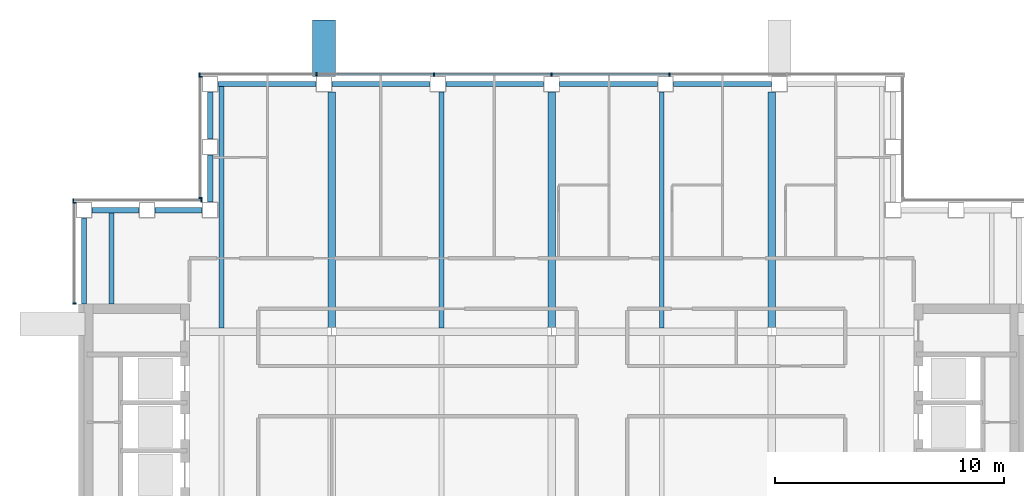
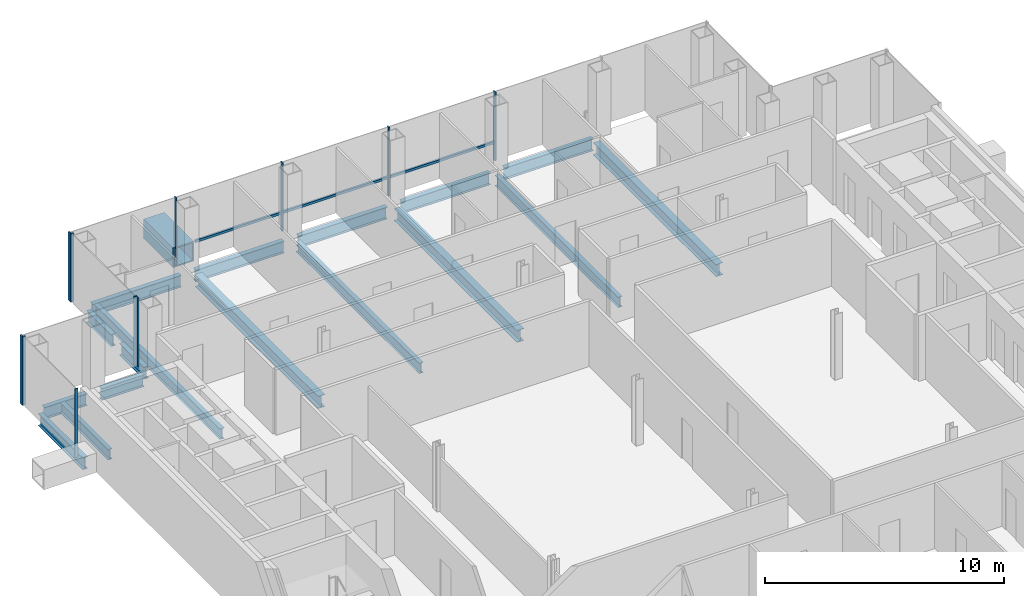
# One storey, part 6 of 14: 18 beams, 14 members, 4 elements without a shape of their own.
"""IFC4 building model written with IfcOpenShell, lengths in metres."""

import ifcopenshell
import ifcopenshell.guid

model = None  # the IFC model being written
_history = None  # IfcOwnerHistory: only IFC2X3 demands one
_inside = {}  # id of a spatial element -> (the spatial element, [elements in it])
_under = {}  # id of a project, library or spatial element -> (it, [spatial elements below it])
_declared = {}  # id of a project -> (the project, [libraries it declares])
_typed = {}  # id of a type object -> (the type object, [elements of that type])
_made_of = {}  # id of a material, layer set ... -> (it, [elements and type objects made of it])


def new_model(schema):
    """Start an empty IFC model of exactly this schema.

    Asked for "IFC4X3", IfcOpenShell would pick the latest addendum, in which some entities
    have other attributes; the version numbers below select the first issue.
    IFC2X3 requires an IfcOwnerHistory on every rooted entity: one is made here for all.
    """
    global model, _history
    if schema == "IFC4X3":
        model = ifcopenshell.file(schema_version=(4, 3, 0, 0))
    else:
        model = ifcopenshell.file(schema=schema)
    _inside.clear()
    _under.clear()
    _declared.clear()
    _typed.clear()
    _made_of.clear()
    _history = None
    if model.schema == "IFC2X3":
        org = make("IfcOrganization", Name="unknown")
        user = make(
            "IfcPersonAndOrganization",
            ThePerson=make("IfcPerson", FamilyName="unknown"),
            TheOrganization=org,
        )
        app = make(
            "IfcApplication",
            ApplicationDeveloper=org,
            Version="unknown",
            ApplicationFullName="unknown",
            ApplicationIdentifier="unknown",
        )
        _history = make(
            "IfcOwnerHistory",
            OwningUser=user,
            OwningApplication=app,
            ChangeAction="ADDED",
            CreationDate=0,
        )
    return model


def make(cls, **values):
    """One entity of the class cls with the attributes given. An attribute that is None is left unset."""
    return model.create_entity(
        cls, **{name: value for name, value in values.items() if value is not None}
    )


def rooted(cls, **values):
    """An entity with a GlobalId (a new one), such as an element, a storey or a relation."""
    return make(cls, GlobalId=ifcopenshell.guid.new(), OwnerHistory=_history, **values)


def si_unit(unit_type, name, prefix=None):
    """IfcSIUnit, for example si_unit("LENGTHUNIT", "METRE", prefix="MILLI")."""
    return make("IfcSIUnit", UnitType=unit_type, Prefix=prefix, Name=name)


def assignment(units):
    """IfcUnitAssignment: the units of a project."""
    return None if units is None else make("IfcUnitAssignment", Units=units)


def point(xyz):
    """IfcCartesianPoint."""
    return None if xyz is None else make("IfcCartesianPoint", Coordinates=xyz)


def direction(xyz):
    """IfcDirection."""
    return None if xyz is None else make("IfcDirection", DirectionRatios=xyz)


def frame(location, z_axis=None, x_axis=None):
    """IfcAxis2Placement3D, a coordinate frame: its origin and axes. An axis left out is left unset."""
    return make(
        "IfcAxis2Placement3D",
        Location=point(location),
        Axis=direction(z_axis),
        RefDirection=direction(x_axis),
    )


def frame_2d(location, x_axis=None):
    """IfcAxis2Placement2D, a coordinate frame in the plane: its origin and x axis."""
    return make(
        "IfcAxis2Placement2D", Location=point(location), RefDirection=direction(x_axis)
    )


def origin():
    """The frame at (0, 0, 0) with its axes left unset."""
    return frame((0.0, 0.0, 0.0))


def origin_2d():
    """The frame at (0, 0) in the plane with its x axis left unset."""
    return frame_2d((0.0, 0.0))


def place(relative_to, where):
    """IfcLocalPlacement: puts the frame where relative to a parent placement (None: the world)."""
    return make(
        "IfcLocalPlacement", PlacementRelTo=relative_to, RelativePlacement=where
    )


def context(
    kind, dimensions, precision=None, world=None, true_north=None, identifier=None
):
    """IfcGeometricRepresentationContext, for example the 3D "Model" context."""
    return make(
        "IfcGeometricRepresentationContext",
        ContextIdentifier=identifier,
        ContextType=kind,
        CoordinateSpaceDimension=dimensions,
        Precision=precision,
        WorldCoordinateSystem=world,
        TrueNorth=true_north,
    )


def subcontext(parent, identifier, kind, view, scale=None):
    """IfcGeometricRepresentationSubContext, for example "Body" below "Model"."""
    return make(
        "IfcGeometricRepresentationSubContext",
        ContextIdentifier=identifier,
        ContextType=kind,
        ParentContext=parent,
        TargetScale=scale,
        TargetView=view,
    )


def project(units=None, contexts=None):
    """IfcProject with its units and contexts."""
    return rooted(
        "IfcProject",
        Name="project",
        RepresentationContexts=contexts,
        UnitsInContext=assignment(units),
    )


def spatial(cls, under=None, at=None, **own):
    """A site, building, storey or space (cls), placed at a placement, below another one or the project."""
    s = rooted(cls, ObjectPlacement=at, **own)
    if under is not None:
        _under.setdefault(under.id(), (under, []))[1].append(s)
    return s


def profile(cls, at=None, kind="AREA", **sizes):
    """A parametric profile (cls). Its sizes go by their IFC names, for example OverallWidth=200.0."""
    return make(cls, ProfileType=kind, Position=at, **sizes)


def rectangle(**sizes):
    """IfcRectangleProfileDef."""
    return profile("IfcRectangleProfileDef", **sizes)


def hollow_rectangle(**sizes):
    """IfcRectangleHollowProfileDef."""
    return profile("IfcRectangleHollowProfileDef", **sizes)


def i_section(**sizes):
    """IfcIShapeProfileDef."""
    return profile("IfcIShapeProfileDef", **sizes)


def extrude(swept, where, along, depth):
    """IfcExtrudedAreaSolid: the profile swept, set in the frame where, extruded along a direction by depth."""
    return make(
        "IfcExtrudedAreaSolid",
        SweptArea=swept,
        Position=where,
        ExtrudedDirection=direction(along),
        Depth=depth,
    )


def shape(context_of_items, identifier, shape_type, items):
    """IfcShapeRepresentation: the items that make up one representation, for example the "Body"."""
    return make(
        "IfcShapeRepresentation",
        ContextOfItems=context_of_items,
        RepresentationIdentifier=identifier,
        RepresentationType=shape_type,
        Items=items,
    )


def material(Name=None, Category=None):
    """IfcMaterial."""
    return make("IfcMaterial", Name=Name, Category=Category)


def material_profile(
    of_material, cross_section, Name=None, Category=None, Priority=None
):
    """IfcMaterialProfile: a cross section and its material."""
    return make(
        "IfcMaterialProfile",
        Name=Name,
        Material=of_material,
        Profile=cross_section,
        Priority=Priority,
        Category=Category,
    )


def profile_set(profiles, Name=None, composite=None):
    """IfcMaterialProfileSet."""
    return make(
        "IfcMaterialProfileSet",
        Name=Name,
        MaterialProfiles=profiles,
        CompositeProfile=composite,
    )


def made_of(thing, what):
    """Note that an element or type object is made of a material, layer set ...; save() writes the relation."""
    if what is not None:
        _made_of.setdefault(what.id(), (what, []))[1].append(thing)
    return thing


def type_object(cls, material=None, **own):
    """A type object (cls), such as IfcWallType, which elements share."""
    return made_of(rooted(cls, **own), material)


def element(
    cls,
    number,
    at=None,
    inside=None,
    cuts=None,
    type_object=None,
    material=None,
    context=None,
    identifier="Body",
    shape_type=None,
    held_by="IfcProductDefinitionShape",
    body=None,
    shapes=None,
    **own,
):
    """One element of the class cls, such as IfcWall. Its Tag is "e" and its number.

    at: its placement. inside: the storey or other place that contains it. cuts: it is an
    opening in that element (IfcRelVoidsElement). A single representation is given by context,
    identifier, shape_type and body (its items); several are given by shapes. held_by: the class
    of the entity that holds the representations. save() writes the other relations.
    """
    e = rooted(cls, Tag="e%d" % number, ObjectPlacement=at, **own)
    if body is not None:
        shapes = [shape(context, identifier, shape_type, body)]
    if shapes is not None:
        e.Representation = make(held_by, Representations=shapes)
    if inside is not None:
        _inside.setdefault(inside.id(), (inside, []))[1].append(e)
    if cuts is not None:
        rooted(
            "IfcRelVoidsElement", RelatingBuildingElement=cuts, RelatedOpeningElement=e
        )
    if type_object is not None:
        _typed.setdefault(type_object.id(), (type_object, []))[1].append(e)
    return made_of(e, material)


def aggregate(whole, parts):
    """IfcRelAggregates: a whole, such as a stair, and the parts it consists of."""
    return rooted("IfcRelAggregates", RelatingObject=whole, RelatedObjects=parts)


def save(model, path):
    """Write the relations noted so far, then the file.

    IfcRelAggregates (storeys below a building ...), IfcRelContainedInSpatialStructure (elements
    in a storey), IfcRelDefinesByType, IfcRelAssociatesMaterial and IfcRelDeclares: one each for
    every whole, place, type object, material and project.
    """
    for whole, parts in _under.values():
        aggregate(whole, parts)
    for where, things in _inside.values():
        rooted(
            "IfcRelContainedInSpatialStructure",
            RelatedElements=things,
            RelatingStructure=where,
        )
    for kind, things in _typed.values():
        rooted("IfcRelDefinesByType", RelatedObjects=things, RelatingType=kind)
    for what, things in _made_of.values():
        rooted("IfcRelAssociatesMaterial", RelatedObjects=things, RelatingMaterial=what)
    for by, libraries in _declared.values():
        rooted("IfcRelDeclares", RelatingContext=by, RelatedDefinitions=libraries)
    model.write(path)


model = new_model("IFC4")

# Units and contexts
model_context = context("Model", 3, precision=1e-05, world=origin(), true_north=direction((0.0, 1.0)))
body_context = subcontext(model_context, "Body", "Model", "MODEL_VIEW")
ifc_project = project(units=[si_unit("LENGTHUNIT", "METRE"), si_unit("AREAUNIT", "SQUARE_METRE"), si_unit("VOLUMEUNIT", "CUBIC_METRE"), si_unit("PLANEANGLEUNIT", "RADIAN"), si_unit("MASSUNIT", "GRAM", prefix="KILO")], contexts=[model_context])

# Site, building, storey
site_placement = place(None, origin())
site = spatial("IfcSite", under=ifc_project, at=site_placement, CompositionType="ELEMENT")
building_placement = place(site_placement, origin())
building = spatial("IfcBuilding", under=site, at=building_placement, Name="Cobrizo Arcos Hotel Tower", CompositionType="ELEMENT")
storey_placement = place(building_placement, frame((0.0, 0.0, 208.5)))
storey = spatial("IfcBuildingStorey", under=building, at=storey_placement, Name="L54", CompositionType="ELEMENT", Elevation=208.5)

# Beam
ifc_material_1 = material(Name="Steel ASTM A572 Grade 50", Category="steel")
ifc_material_profile_1 = material_profile(ifc_material_1, hollow_rectangle(XDim=1.0, YDim=1.0, WallThickness=0.06005859375, at=origin_2d()), Name="BOX 1000X1000X60")
ifc_profile_set_1 = profile_set([ifc_material_profile_1], Name="Steel ASTM A572 Grade 50")
beam_type_1 = type_object("IfcBeamType", Name="BOX 1000X1000X60 brace connector strut", PredefinedType="BEAM", material=ifc_profile_set_1)
beam_1_placement = place(storey_placement, frame((-9.933349609375, 20.739990234375, 0.5), z_axis=(0.0, 1.0, 0.0), x_axis=(-1.0, 0.0, 0.0)))
element("IfcBeam", 1, at=beam_1_placement, inside=storey, type_object=beam_type_1, Name="Perimeter brace stub BS1, zone Z4, north face, offset -9.93 m, L54", PredefinedType="BEAM", context=body_context, shape_type="SweptSolid", body=[
    extrude(hollow_rectangle(XDim=1.0, YDim=1.0, WallThickness=0.06005859375, at=origin_2d()), origin(), (0.0, 0.0, 1.0), 2.455078125),
])

# Curtain wall, members
ifc_material_2 = material(Name="Aluminium 6063-T6 anodised bronze", Category="aluminium")
curtain_wall_type = type_object("IfcCurtainWallType", Name="CW-A guest facade", PredefinedType="NOTDEFINED", material=ifc_material_2)
curtain_wall_1_placement = place(storey_placement, origin())
curtain_wall_1 = element("IfcCurtainWall", 2, at=curtain_wall_1_placement, inside=storey, type_object=curtain_wall_type, Name="CW-A L54 N face", PredefinedType="NOTDEFINED")
ifc_material_profile_2 = material_profile(ifc_material_2, rectangle(XDim=0.14990234375, YDim=0.06005859375, at=origin_2d()), Name="CW-A mullion 150x60")
ifc_profile_set_2 = profile_set([ifc_material_profile_2], Name="Aluminium 6063-T6 anodised bronze")
member_type_1 = type_object("IfcMemberType", Name="CW-A mullion 150x60", PredefinedType="MULLION", material=ifc_profile_set_2)
member_1_placement = place(storey_placement, frame((5.13330078125, 20.824951171875, 0.0), z_axis=(0.0, 0.0, 1.0), x_axis=(0.0, 1.0, 0.0)))
member_1 = element("IfcMember", 3, at=member_1_placement, type_object=member_type_1, Name="CW-A mullion 3", PredefinedType="MULLION", context=body_context, shape_type="SweptSolid", body=[
    extrude(rectangle(XDim=0.14990234375, YDim=0.06005859375, at=origin_2d()), origin(), (0.0, 0.0, 1.0), 3.5),
])
member_2_placement = place(storey_placement, frame((0.0, 20.824951171875, 0.0), z_axis=(0.0, 0.0, 1.0), x_axis=(0.0, 1.0, 0.0)))
member_2 = element("IfcMember", 4, at=member_2_placement, type_object=member_type_1, Name="CW-A mullion 4", PredefinedType="MULLION", context=body_context, shape_type="SweptSolid", body=[
    extrude(rectangle(XDim=0.14990234375, YDim=0.06005859375, at=origin_2d()), origin(), (0.0, 0.0, 1.0), 3.5),
])
member_3_placement = place(storey_placement, frame((-5.13330078125, 20.824951171875, 0.0), z_axis=(0.0, 0.0, 1.0), x_axis=(0.0, 1.0, 0.0)))
member_3 = element("IfcMember", 5, at=member_3_placement, type_object=member_type_1, Name="CW-A mullion 5", PredefinedType="MULLION", context=body_context, shape_type="SweptSolid", body=[
    extrude(rectangle(XDim=0.14990234375, YDim=0.06005859375, at=origin_2d()), origin(), (0.0, 0.0, 1.0), 3.5),
])
member_4_placement = place(storey_placement, frame((-10.2666015625, 20.824951171875, 0.0), z_axis=(0.0, 0.0, 1.0), x_axis=(0.0, 1.0, 0.0)))
member_4 = element("IfcMember", 6, at=member_4_placement, type_object=member_type_1, Name="CW-A mullion 6", PredefinedType="MULLION", context=body_context, shape_type="SweptSolid", body=[
    extrude(rectangle(XDim=0.14990234375, YDim=0.06005859375, at=origin_2d()), origin(), (0.0, 0.0, 1.0), 3.5),
])
member_5_placement = place(storey_placement, frame((-15.3701171875, 20.824951171875, 0.0), z_axis=(0.0, 0.0, 1.0), x_axis=(0.0, 1.0, 0.0)))
member_5 = element("IfcMember", 7, at=member_5_placement, type_object=member_type_1, Name="CW-A mullion 7", PredefinedType="MULLION", context=body_context, shape_type="SweptSolid", body=[
    extrude(rectangle(XDim=0.14990234375, YDim=0.06005859375, at=origin_2d()), origin(), (0.0, 0.0, 1.0), 3.5),
])

curtain_wall_2_placement = place(storey_placement, origin())
curtain_wall_2 = element("IfcCurtainWall", 8, at=curtain_wall_2_placement, inside=storey, type_object=curtain_wall_type, Name="CW-A L54 W face", PredefinedType="NOTDEFINED")
member_6_placement = place(storey_placement, frame((-15.324951171875, 20.719970703125, 0.0), z_axis=(0.0, 0.0, 1.0), x_axis=(-1.0, 0.0, 0.0)))
member_6 = element("IfcMember", 9, at=member_6_placement, type_object=member_type_1, Name="CW-A mullion 1", PredefinedType="MULLION", context=body_context, shape_type="SweptSolid", body=[
    extrude(rectangle(XDim=0.14990234375, YDim=0.06005859375, at=origin_2d()), origin(), (0.0, 0.0, 1.0), 3.5),
])
member_7_placement = place(storey_placement, frame((-15.324951171875, 15.429931640625, 0.0), z_axis=(0.0, 0.0, 1.0), x_axis=(-1.0, 0.0, 0.0)))
member_7 = element("IfcMember", 10, at=member_7_placement, type_object=member_type_1, Name="CW-A mullion 2", PredefinedType="MULLION", context=body_context, shape_type="SweptSolid", body=[
    extrude(rectangle(XDim=0.14990234375, YDim=0.06005859375, at=origin_2d()), origin(), (0.0, 0.0, 1.0), 3.5),
])
aggregate(curtain_wall_2, [member_6, member_7])

curtain_wall_3_placement = place(storey_placement, origin())
curtain_wall_3 = element("IfcCurtainWall", 11, at=curtain_wall_3_placement, inside=storey, type_object=curtain_wall_type, Name="CW-A L54 N face", PredefinedType="NOTDEFINED")
member_8_placement = place(storey_placement, frame((-15.280029296875, 15.324951171875, 0.0), z_axis=(0.0, 0.0, 1.0), x_axis=(0.0, 1.0, 0.0)))
member_8 = element("IfcMember", 12, at=member_8_placement, type_object=member_type_1, Name="CW-A mullion 1", PredefinedType="MULLION", context=body_context, shape_type="SweptSolid", body=[
    extrude(rectangle(XDim=0.14990234375, YDim=0.06005859375, at=origin_2d()), origin(), (0.0, 0.0, 1.0), 3.5),
])
member_9_placement = place(storey_placement, frame((-20.8701171875, 15.324951171875, 0.0), z_axis=(0.0, 0.0, 1.0), x_axis=(0.0, 1.0, 0.0)))
member_9 = element("IfcMember", 13, at=member_9_placement, type_object=member_type_1, Name="CW-A mullion 2", PredefinedType="MULLION", context=body_context, shape_type="SweptSolid", body=[
    extrude(rectangle(XDim=0.14990234375, YDim=0.06005859375, at=origin_2d()), origin(), (0.0, 0.0, 1.0), 3.5),
])
aggregate(curtain_wall_3, [member_8, member_9])

curtain_wall_4_placement = place(storey_placement, origin())
curtain_wall_4 = element("IfcCurtainWall", 14, at=curtain_wall_4_placement, inside=storey, type_object=curtain_wall_type, Name="CW-A L54 W face", PredefinedType="NOTDEFINED")
member_10_placement = place(storey_placement, frame((-20.824951171875, 15.219970703125, 0.0), z_axis=(0.0, 0.0, 1.0), x_axis=(-1.0, 0.0, 0.0)))
member_10 = element("IfcMember", 15, at=member_10_placement, type_object=member_type_1, Name="CW-A mullion 1", PredefinedType="MULLION", context=body_context, shape_type="SweptSolid", body=[
    extrude(rectangle(XDim=0.14990234375, YDim=0.06005859375, at=origin_2d()), origin(), (0.0, 0.0, 1.0), 3.5),
])
member_11_placement = place(storey_placement, frame((-20.824951171875, 10.830078125, 0.0), z_axis=(0.0, 0.0, 1.0), x_axis=(-1.0, 0.0, 0.0)))
member_11 = element("IfcMember", 16, at=member_11_placement, type_object=member_type_1, Name="CW-A mullion 2", PredefinedType="MULLION", context=body_context, shape_type="SweptSolid", body=[
    extrude(rectangle(XDim=0.14990234375, YDim=0.06005859375, at=origin_2d()), origin(), (0.0, 0.0, 1.0), 3.5),
])
aggregate(curtain_wall_4, [member_10, member_11])

# Member
ifc_material_profile_3 = material_profile(ifc_material_2, rectangle(XDim=0.10009765625, YDim=0.1201171875, at=origin_2d()), Name="CW-A transom 120x100")
ifc_profile_set_3 = profile_set([ifc_material_profile_3], Name="Aluminium 6063-T6 anodised bronze")
member_type_2 = type_object("IfcMemberType", Name="CW-A transom 120x100", PredefinedType="USERDEFINED", material=ifc_profile_set_3)
member_12_placement = place(storey_placement, frame((5.103271484375, 20.824951171875, 0.929931640625), z_axis=(-1.0, 0.0, 0.0), x_axis=(0.0, -1.0, 0.0)))
member_12 = element("IfcMember", 17, at=member_12_placement, type_object=member_type_2, Name="CW-A transom 1830", ObjectType="TRANSOM", PredefinedType="USERDEFINED", context=body_context, shape_type="SweptSolid", body=[
    extrude(rectangle(XDim=0.10009765625, YDim=0.1201171875, at=origin_2d()), origin(), (0.0, 0.0, 1.0), 5.0732421875),
])

member_13_placement = place(storey_placement, frame((-0.030029296875, 20.824951171875, 0.929931640625), z_axis=(-1.0, 0.0, 0.0), x_axis=(0.0, -1.0, 0.0)))
member_13 = element("IfcMember", 18, at=member_13_placement, type_object=member_type_2, Name="CW-A transom 1831", ObjectType="TRANSOM", PredefinedType="USERDEFINED", context=body_context, shape_type="SweptSolid", body=[
    extrude(rectangle(XDim=0.10009765625, YDim=0.1201171875, at=origin_2d()), origin(), (0.0, 0.0, 1.0), 5.0732421875),
])

member_14_placement = place(storey_placement, frame((-5.163330078125, 20.824951171875, 0.929931640625), z_axis=(-1.0, 0.0, 0.0), x_axis=(0.0, -1.0, 0.0)))
member_14 = element("IfcMember", 19, at=member_14_placement, type_object=member_type_2, Name="CW-A transom 1832", ObjectType="TRANSOM", PredefinedType="USERDEFINED", context=body_context, shape_type="SweptSolid", body=[
    extrude(rectangle(XDim=0.10009765625, YDim=0.1201171875, at=origin_2d()), origin(), (0.0, 0.0, 1.0), 4.169921875),
])

aggregate(curtain_wall_1, [member_1, member_2, member_3, member_4, member_5, member_12, member_13, member_14])

# Beams
ifc_material_3 = material(Name="Steel ASTM A992 Grade 50", Category="steel")
ifc_material_profile_4 = material_profile(ifc_material_3, i_section(OverallWidth=0.209228515625, OverallDepth=0.533447265625, WebThickness=0.01025390625, FlangeThickness=0.015625, at=origin_2d()), Name="W21X62")
ifc_profile_set_4 = profile_set([ifc_material_profile_4], Name="Steel ASTM A992 Grade 50")
beam_type_2 = type_object("IfcBeamType", Name="W21X62 joist", PredefinedType="JOIST", material=ifc_profile_set_4)
beam_2_placement = place(storey_placement, frame((-19.199951171875, 10.81005859375, -0.416748046875), z_axis=(0.0, 1.0, 0.0), x_axis=(-1.0, 0.0, 0.0)))
element("IfcBeam", 20, at=beam_2_placement, inside=storey, type_object=beam_type_2, Name="Floor joist J1, L54, no. 002", PredefinedType="JOIST", context=body_context, shape_type="SweptSolid", body=[
    extrude(i_section(OverallWidth=0.209228515625, OverallDepth=0.533447265625, WebThickness=0.01025390625, FlangeThickness=0.015625, at=origin_2d()), origin(), (0.0, 0.0, 1.0), 4.0),
])
beam_3_placement = place(storey_placement, frame((-14.39990234375, 9.763916015625, -0.416748046875), z_axis=(0.0, 1.0, 0.0), x_axis=(-1.0, 0.0, 0.0)))
element("IfcBeam", 21, at=beam_3_placement, inside=storey, type_object=beam_type_2, Name="Floor joist J1, L54, no. 006", PredefinedType="JOIST", context=body_context, shape_type="SweptSolid", body=[
    extrude(i_section(OverallWidth=0.209228515625, OverallDepth=0.533447265625, WebThickness=0.01025390625, FlangeThickness=0.015625, at=origin_2d()), origin(), (0.0, 0.0, 1.0), 10.546142578125),
])
for number, where, z_axis, x_axis, name in (
    (22, (-4.800048828125, 9.763916015625, -0.416748046875), (0.0, 1.0, 0.0), (-1.0, 0.0, 0.0), "Floor joist J1, L54, no. 010"),
    (23, (4.800048828125, 9.763916015625, -0.416748046875), (0.0, 1.0, 0.0), (-1.0, 0.0, 0.0), "Floor joist J1, L54, no. 014"),
):
    element("IfcBeam", number, at=place(storey_placement, frame(where, z_axis=z_axis, x_axis=x_axis)), inside=storey, type_object=beam_type_2, Name=name, PredefinedType="JOIST", context=body_context, shape_type="SweptSolid", body=[
        extrude(i_section(OverallWidth=0.209228515625, OverallDepth=0.533447265625, WebThickness=0.01025390625, FlangeThickness=0.015625, at=origin_2d()), origin(), (0.0, 0.0, 1.0), 10.2861328125),
    ])
ifc_material_profile_5 = material_profile(ifc_material_3, i_section(OverallWidth=0.32763671875, OverallDepth=0.622314453125, WebThickness=0.015380859375, FlangeThickness=0.0244140625, at=origin_2d()), Name="W24X131")
ifc_profile_set_5 = profile_set([ifc_material_profile_5], Name="Steel ASTM A992 Grade 50")
beam_type_3 = type_object("IfcBeamType", Name="W24X131 girder", PredefinedType="BEAM", material=ifc_profile_set_5)
for number, where, z_axis, x_axis, name in (
    (24, (-9.60009765625, 9.78662109375, -0.461181640625), (0.0, 1.0, 0.0), (-1.0, 0.0, 0.0), "Floor girder G1, L54, no. 016"),
    (25, (0.0, 9.78662109375, -0.461181640625), (0.0, 1.0, 0.0), (-1.0, 0.0, 0.0), "Floor girder G1, L54, no. 020"),
    (26, (9.60009765625, 9.78662109375, -0.461181640625), (0.0, 1.0, 0.0), (-1.0, 0.0, 0.0), "Floor girder G1, L54, no. 024"),
):
    element("IfcBeam", number, at=place(storey_placement, frame(where, z_axis=z_axis, x_axis=x_axis)), inside=storey, type_object=beam_type_3, Name=name, PredefinedType="BEAM", context=body_context, shape_type="SweptSolid", body=[
        extrude(i_section(OverallWidth=0.32763671875, OverallDepth=0.622314453125, WebThickness=0.015380859375, FlangeThickness=0.0244140625, at=origin_2d()), origin(), (0.0, 0.0, 1.0), 10.263427734375),
    ])
ifc_material_profile_6 = material_profile(ifc_material_3, i_section(OverallWidth=0.228271484375, OverallDepth=0.607177734375, WebThickness=0.01123046875, FlangeThickness=0.017333984375, at=origin_2d()), Name="W24X76")
ifc_profile_set_6 = profile_set([ifc_material_profile_6], Name="Steel ASTM A992 Grade 50")
beam_type_4 = type_object("IfcBeamType", Name="W24X76 spandrel", PredefinedType="SPANDREL", material=ifc_profile_set_6)
beam_4_placement = place(storey_placement, frame((9.5830078125, 20.39990234375, -0.45361328125), z_axis=(-1.0, 0.0, 0.0), x_axis=(0.0, -1.0, 0.0)))
element("IfcBeam", 27, at=beam_4_placement, inside=storey, type_object=beam_type_4, Name="Spandrel beam W24X76, L54, no. 018", PredefinedType="SPANDREL", context=body_context, shape_type="SweptSolid", body=[
    extrude(i_section(OverallWidth=0.228271484375, OverallDepth=0.607177734375, WebThickness=0.01123046875, FlangeThickness=0.017333984375, at=origin_2d()), origin(), (0.0, 0.0, 1.0), 4.26611328125),
])
for number, where, z_axis, x_axis, name in (
    (28, (4.616943359375, 20.39990234375, -0.45361328125), (-1.0, 0.0, 0.0), (0.0, -1.0, 0.0), "Spandrel beam W24X76, L54, no. 019"),
    (29, (-0.35009765625, 20.39990234375, -0.45361328125), (-1.0, 0.0, 0.0), (0.0, -1.0, 0.0), "Spandrel beam W24X76, L54, no. 020"),
):
    element("IfcBeam", number, at=place(storey_placement, frame(where, z_axis=z_axis, x_axis=x_axis)), inside=storey, type_object=beam_type_4, Name=name, PredefinedType="SPANDREL", context=body_context, shape_type="SweptSolid", body=[
        extrude(i_section(OverallWidth=0.228271484375, OverallDepth=0.607177734375, WebThickness=0.01123046875, FlangeThickness=0.017333984375, at=origin_2d()), origin(), (0.0, 0.0, 1.0), 4.266845703125),
    ])
beam_5_placement = place(storey_placement, frame((-5.31689453125, 20.39990234375, -0.45361328125), z_axis=(-1.0, 0.0, 0.0), x_axis=(0.0, -1.0, 0.0)))
element("IfcBeam", 30, at=beam_5_placement, inside=storey, type_object=beam_type_4, Name="Spandrel beam W24X76, L54, no. 021", PredefinedType="SPANDREL", context=body_context, shape_type="SweptSolid", body=[
    extrude(i_section(OverallWidth=0.228271484375, OverallDepth=0.607177734375, WebThickness=0.01123046875, FlangeThickness=0.017333984375, at=origin_2d()), origin(), (0.0, 0.0, 1.0), 4.26611328125),
])
beam_6_placement = place(storey_placement, frame((-10.282958984375, 20.39990234375, -0.45361328125), z_axis=(-1.0, 0.0, 0.0), x_axis=(0.0, -1.0, 0.0)))
element("IfcBeam", 31, at=beam_6_placement, inside=storey, type_object=beam_type_4, Name="Spandrel beam W24X76, L54, no. 022", PredefinedType="SPANDREL", context=body_context, shape_type="SweptSolid", body=[
    extrude(i_section(OverallWidth=0.228271484375, OverallDepth=0.607177734375, WebThickness=0.01123046875, FlangeThickness=0.017333984375, at=origin_2d()), origin(), (0.0, 0.0, 1.0), 4.26708984375),
])
for number, where, z_axis, x_axis, name in (
    (32, (-14.89990234375, 20.050048828125, -0.45361328125), (0.0, -1.0, 0.0), (1.0, 0.0, 0.0), "Spandrel beam W24X76, L54, no. 023"),
    (33, (-14.89990234375, 17.300048828125, -0.45361328125), (0.0, -1.0, 0.0), (1.0, 0.0, 0.0), "Spandrel beam W24X76, L54, no. 024"),
    (34, (-15.25, 14.89990234375, -0.45361328125), (-1.0, 0.0, 0.0), (0.0, -1.0, 0.0), "Spandrel beam W24X76, L54, no. 025"),
    (35, (-18.0, 14.89990234375, -0.45361328125), (-1.0, 0.0, 0.0), (0.0, -1.0, 0.0), "Spandrel beam W24X76, L54, no. 026"),
):
    element("IfcBeam", number, at=place(storey_placement, frame(where, z_axis=z_axis, x_axis=x_axis)), inside=storey, type_object=beam_type_4, Name=name, PredefinedType="SPANDREL", context=body_context, shape_type="SweptSolid", body=[
        extrude(i_section(OverallWidth=0.228271484375, OverallDepth=0.607177734375, WebThickness=0.01123046875, FlangeThickness=0.017333984375, at=origin_2d()), origin(), (0.0, 0.0, 1.0), 2.050048828125),
    ])
beam_7_placement = place(storey_placement, frame((-20.39990234375, 14.550048828125, -0.45361328125), z_axis=(0.0, -1.0, 0.0), x_axis=(1.0, 0.0, 0.0)))
element("IfcBeam", 36, at=beam_7_placement, inside=storey, type_object=beam_type_4, Name="Spandrel beam W24X76, L54, no. 027", PredefinedType="SPANDREL", context=body_context, shape_type="SweptSolid", body=[
    extrude(i_section(OverallWidth=0.228271484375, OverallDepth=0.607177734375, WebThickness=0.01123046875, FlangeThickness=0.017333984375, at=origin_2d()), origin(), (0.0, 0.0, 1.0), 3.739990234375),
])

save(model, "model.ifc")
